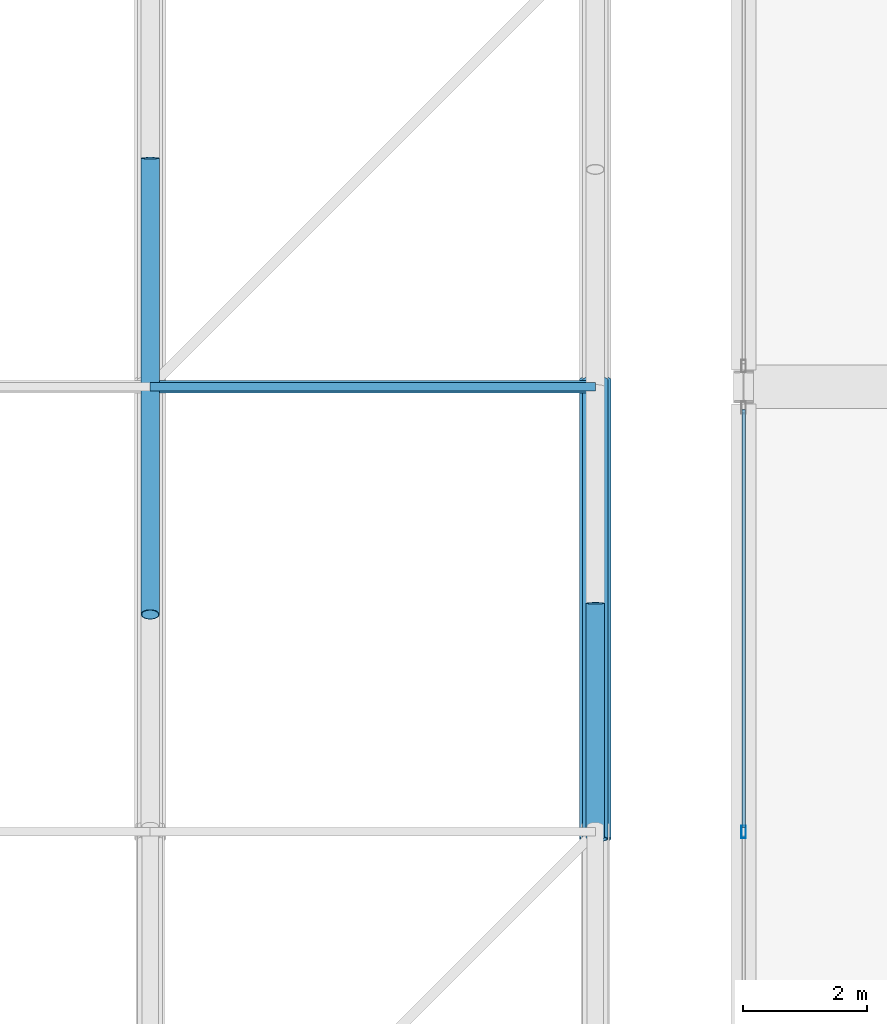
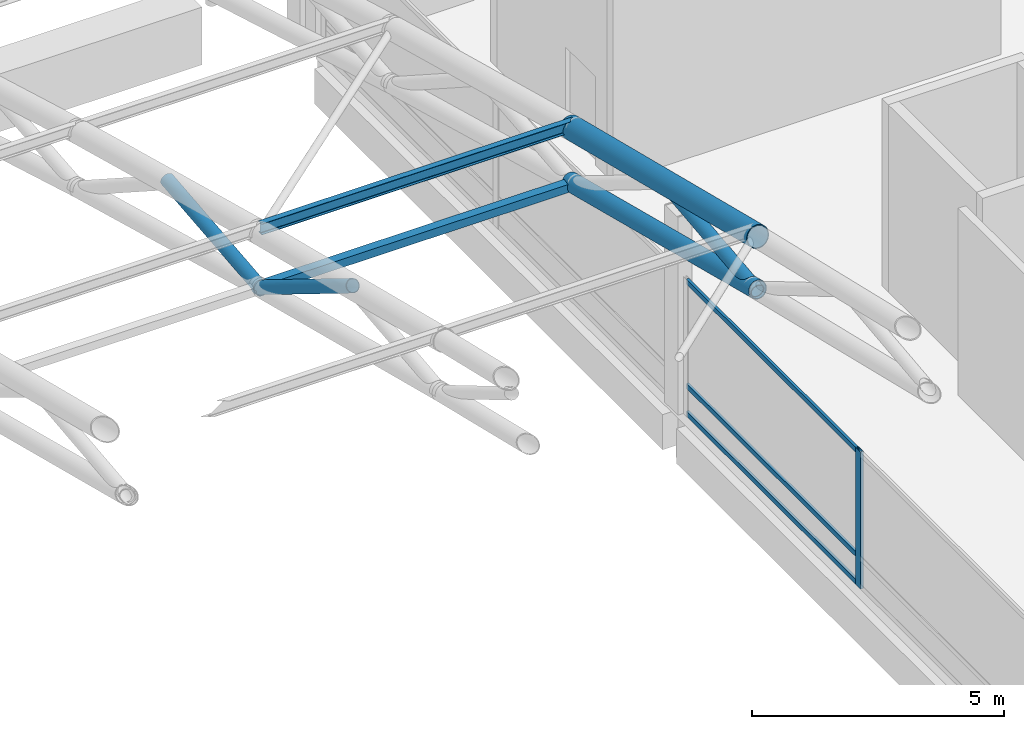
# One storey, part 57 of 193: 11 members, 1 element without a shape of its own.
"""IFC4 building model written with IfcOpenShell, lengths in metres."""

from ifc_helpers import new_model, si_unit, direction, frame, origin, origin_2d, place, context, subcontext, project, spatial, hollow_rectangle, hollow_circle, i_section, extrude, material, material_profile, profile_set, type_object, element, aggregate, save


model = new_model("IFC4")

# Units and contexts
model_context = context("Model", 3, precision=1e-05, world=origin(), true_north=direction((0.0, 1.0)))
body_context = subcontext(model_context, "Body", "Model", "MODEL_VIEW")
ifc_project = project(units=[si_unit("LENGTHUNIT", "METRE"), si_unit("AREAUNIT", "SQUARE_METRE"), si_unit("VOLUMEUNIT", "CUBIC_METRE"), si_unit("PLANEANGLEUNIT", "RADIAN"), si_unit("MASSUNIT", "GRAM", prefix="KILO")], contexts=[model_context])

# Site, building, storey
site_placement = place(None, origin())
site = spatial("IfcSite", under=ifc_project, at=site_placement, CompositionType="ELEMENT")
building_placement = place(site_placement, origin())
building = spatial("IfcBuilding", under=site, at=building_placement, Name="Cendralis Lancet Convention Centre", CompositionType="ELEMENT")
storey_placement = place(building_placement, frame((0.0, 0.0, 10.199951171875)))
storey = spatial("IfcBuildingStorey", under=building, at=storey_placement, Name="L02", CompositionType="ELEMENT", Elevation=10.199951171875)

# Curtain wall, members
ifc_material_1 = material(Name="Anodised bronze architectural aluminium", Category="aluminium")
curtain_wall_type = type_object("IfcCurtainWallType", Name="ARC-CW-BL01", PredefinedType="USERDEFINED", material=ifc_material_1)
curtain_wall_placement = place(storey_placement, origin())
curtain_wall = element("IfcCurtainWall", 1, at=curtain_wall_placement, inside=storey, type_object=curtain_wall_type, Name="L02 Curtain Wall CW-BL1 #158", ObjectType="CURTAIN WALL", PredefinedType="USERDEFINED")
ifc_material_profile_1 = material_profile(ifc_material_1, hollow_rectangle(XDim=0.070068359375, YDim=0.199951171875, WallThickness=0.0048828125, at=origin_2d()), Name="AL-MULL 70x200x5.0")
ifc_profile_set_1 = profile_set([ifc_material_profile_1], Name="Anodised bronze architectural aluminium")
member_type_1 = type_object("IfcMemberType", Name="ARC-CW-ML02", PredefinedType="MULLION", material=ifc_profile_set_1)
member_1_placement = place(storey_placement, frame((124.800048828125, 115.199951171875, 0.0), z_axis=(0.0, 0.0, 1.0), x_axis=(1.0, 0.0, 0.0)))
member_1 = element("IfcMember", 2, at=member_1_placement, type_object=member_type_1, Name="Mullion CW2-CW-BL1-L02-158-M1", PredefinedType="MULLION", context=body_context, shape_type="SweptSolid", body=[
    extrude(hollow_rectangle(XDim=0.070068359375, YDim=0.199951171875, WallThickness=0.0048828125, at=origin_2d()), origin(), (0.0, 0.0, 1.0), 3.324951171875),
])
ifc_material_profile_2 = material_profile(ifc_material_1, hollow_rectangle(XDim=0.06005859375, YDim=0.1201171875, WallThickness=0.00390625, at=origin_2d()), Name="AL-TRAN 60x120x4.0")
ifc_profile_set_2 = profile_set([ifc_material_profile_2], Name="Anodised bronze architectural aluminium")
member_type_2 = type_object("IfcMemberType", Name="ARC-CW-TR01", PredefinedType="USERDEFINED", material=ifc_profile_set_2)
member_2_placement = place(storey_placement, frame((124.800048828125, 115.27001953125, 0.06005859375), z_axis=(0.0, 1.0, 0.0), x_axis=(-1.0, 0.0, 0.0)))
member_2 = element("IfcMember", 3, at=member_2_placement, type_object=member_type_2, Name="Transom CW2-CW-BL1-L02-158-T1BOT", ObjectType="TRANSOM", PredefinedType="USERDEFINED", context=body_context, shape_type="SweptSolid", body=[
    extrude(hollow_rectangle(XDim=0.06005859375, YDim=0.1201171875, WallThickness=0.00390625, at=origin_2d()), origin(), (0.0, 0.0, 1.0), 6.760009765625),
])
member_3_placement = place(storey_placement, frame((124.800048828125, 115.27001953125, 0.7314453125), z_axis=(0.0, 1.0, 0.0), x_axis=(-1.0, 0.0, 0.0)))
member_3 = element("IfcMember", 4, at=member_3_placement, type_object=member_type_2, Name="Transom CW2-CW-BL1-L02-158-T1MID", ObjectType="TRANSOM", PredefinedType="USERDEFINED", context=body_context, shape_type="SweptSolid", body=[
    extrude(hollow_rectangle(XDim=0.06005859375, YDim=0.1201171875, WallThickness=0.00390625, at=origin_2d()), origin(), (0.0, 0.0, 1.0), 6.760009765625),
])
member_4_placement = place(storey_placement, frame((124.800048828125, 115.27001953125, 3.26513671875), z_axis=(0.0, 1.0, 0.0), x_axis=(-1.0, 0.0, 0.0)))
member_4 = element("IfcMember", 5, at=member_4_placement, type_object=member_type_2, Name="Transom CW2-CW-BL1-L02-158-T1TOP", ObjectType="TRANSOM", PredefinedType="USERDEFINED", context=body_context, shape_type="SweptSolid", body=[
    extrude(hollow_rectangle(XDim=0.06005859375, YDim=0.1201171875, WallThickness=0.00390625, at=origin_2d()), origin(), (0.0, 0.0, 1.0), 6.760009765625),
])
aggregate(curtain_wall, [member_1, member_2, member_3, member_4])

# Members
ifc_material_2 = material(Name="Steel S355", Category="steel")
ifc_material_profile_3 = material_profile(ifc_material_2, hollow_rectangle(XDim=0.199951171875, YDim=0.199951171875, WallThickness=0.010009765625, at=origin_2d()), Name="SHS 200x200x10.0")
ifc_profile_set_3 = profile_set([ifc_material_profile_3], Name="Steel S355")
member_type_3 = type_object("IfcMemberType", Name="STR-BR-ST01", PredefinedType="STRUT", material=ifc_profile_set_3)
member_5_placement = place(storey_placement, frame((115.199951171875, 122.39990234375, 6.2509765625), z_axis=(1.0, 0.0, 0.0), x_axis=(0.0, 1.0, 0.0)))
element("IfcMember", 6, at=member_5_placement, inside=storey, type_object=member_type_3, Name="Arch Tie Strut ST01 V1-13-10", PredefinedType="STRUT", context=body_context, shape_type="SweptSolid", body=[
    extrude(hollow_rectangle(XDim=0.199951171875, YDim=0.199951171875, WallThickness=0.010009765625, at=origin_2d()), origin(), (0.0, 0.0, 1.0), 7.199951171875),
])
ifc_material_profile_4 = material_profile(ifc_material_2, i_section(OverallWidth=0.135009765625, OverallDepth=0.27001953125, WebThickness=0.006591796875, FlangeThickness=0.01025390625, FilletRadius=0.014892578125, at=origin_2d()), Name="IPE 270")
ifc_profile_set_4 = profile_set([ifc_material_profile_4], Name="Steel S355")
member_type_4 = type_object("IfcMemberType", Name="STR-PR-PR01", PredefinedType="PURLIN", material=ifc_profile_set_4)
member_6_placement = place(storey_placement, frame((115.199951171875, 122.39990234375, 7.69140625), z_axis=(1.0, 0.0, 0.0), x_axis=(0.0, 1.0, 0.0)))
element("IfcMember", 7, at=member_6_placement, inside=storey, type_object=member_type_4, Name="Vault Roof Purlin PR01 V1-13-10", PredefinedType="PURLIN", context=body_context, shape_type="SweptSolid", body=[
    extrude(i_section(OverallWidth=0.135009765625, OverallDepth=0.27001953125, WebThickness=0.006591796875, FlangeThickness=0.01025390625, FilletRadius=0.014892578125, at=origin_2d()), origin(), (0.0, 0.0, 1.0), 7.199951171875),
])
ifc_material_profile_5 = material_profile(ifc_material_2, hollow_circle(Radius=0.203125, WallThickness=0.01611328125, at=origin_2d()), Name="CHS 406.4x16.0")
ifc_profile_set_5 = profile_set([ifc_material_profile_5], Name="Steel S355")
member_type_5 = type_object("IfcMemberType", Name="STR-TR-BC01", PredefinedType="CHORD", material=ifc_profile_set_5)
member_7_placement = place(storey_placement, frame((122.39990234375, 115.083740234375, 8.111083984375), z_axis=(0.0, 0.969168531094, -0.246398779092), x_axis=(-1.0, 0.0, 0.0)))
element("IfcMember", 8, at=member_7_placement, inside=storey, type_object=member_type_5, Name="ROOF TRUSS AT-V1-15 Bottom Chord 09", PredefinedType="CHORD", context=body_context, shape_type="SweptSolid", body=[
    extrude(hollow_circle(Radius=0.203125, WallThickness=0.01611328125, at=origin_2d()), origin(), (0.0, 0.0, 1.0), 7.6689453125),
])
ifc_material_profile_6 = material_profile(ifc_material_2, hollow_circle(Radius=0.25390625, WallThickness=0.02001953125, at=origin_2d()), Name="CHS 508.0x20.0")
ifc_profile_set_6 = profile_set([ifc_material_profile_6], Name="Steel S355")
member_type_6 = type_object("IfcMemberType", Name="STR-TR-TC01", PredefinedType="CHORD", material=ifc_profile_set_6)
member_8_placement = place(storey_placement, frame((122.39990234375, 115.08349609375, 9.3984375), z_axis=(0.0, 0.97036146187, -0.241658091769), x_axis=(-1.0, 0.0, 0.0)))
element("IfcMember", 9, at=member_8_placement, inside=storey, type_object=member_type_6, Name="ROOF TRUSS AT-V1-15 Top Chord 09", PredefinedType="CHORD", context=body_context, shape_type="SweptSolid", body=[
    extrude(hollow_circle(Radius=0.25390625, WallThickness=0.02001953125, at=origin_2d()), origin(), (0.0, 0.0, 1.0), 7.659912109375),
])
ifc_material_profile_7 = material_profile(ifc_material_2, hollow_circle(Radius=0.149169921875, WallThickness=0.012451171875, at=origin_2d()), Name="CHS 298.5x12.5")
ifc_profile_set_7 = profile_set([ifc_material_profile_7], Name="Steel S355")
member_type_7 = type_object("IfcMemberType", Name="STR-TR-WD01", PredefinedType="BRACE", material=ifc_profile_set_7)
member_9_placement = place(storey_placement, frame((122.39990234375, 115.1005859375, 8.070556640625), z_axis=(0.0, 0.994139687453, 0.108103107402), x_axis=(-1.0, 0.0, 0.0)))
element("IfcMember", 10, at=member_9_placement, inside=storey, type_object=member_type_7, Name="ROOF TRUSS AT-V1-15 Warren Web 09-0", PredefinedType="BRACE", context=body_context, shape_type="SweptSolid", body=[
    extrude(hollow_circle(Radius=0.149169921875, WallThickness=0.012451171875, at=origin_2d()), origin(), (0.0, 0.0, 1.0), 3.8212890625),
])
ifc_material_profile_8 = material_profile(ifc_material_2, hollow_circle(Radius=0.149169921875, WallThickness=0.012451171875, at=origin_2d()), Name="CHS 298.5x12.5")
ifc_profile_set_8 = profile_set([ifc_material_profile_8], Name="Steel S355")
member_type_8 = type_object("IfcMemberType", Name="STR-TR-WD01-INT", PredefinedType="BRACE", material=ifc_profile_set_8)
member_10_placement = place(storey_placement, frame((115.199951171875, 118.71484375, 8.525390625), z_axis=(0.0, 0.850978373815, -0.525200730482), x_axis=(-1.0, 0.0, 0.0)))
element("IfcMember", 11, at=member_10_placement, inside=storey, type_object=member_type_8, Name="ROOF TRUSS AT-V1-14 Warren Web 09-1", PredefinedType="BRACE", context=body_context, shape_type="SweptSolid", body=[
    extrude(hollow_circle(Radius=0.149169921875, WallThickness=0.012451171875, at=origin_2d()), origin(), (0.0, 0.0, 1.0), 4.430419921875),
])
member_11_placement = place(storey_placement, frame((115.199951171875, 122.300537109375, 6.240966796875), z_axis=(0.0, 0.994884749511, 0.101016509493), x_axis=(-1.0, 0.0, 0.0)))
element("IfcMember", 12, at=member_11_placement, inside=storey, type_object=member_type_8, Name="ROOF TRUSS AT-V1-14 Warren Web 10-0", PredefinedType="BRACE", context=body_context, shape_type="SweptSolid", body=[
    extrude(hollow_circle(Radius=0.149169921875, WallThickness=0.012451171875, at=origin_2d()), origin(), (0.0, 0.0, 1.0), 3.818603515625),
])

save(model, "model.ifc")
